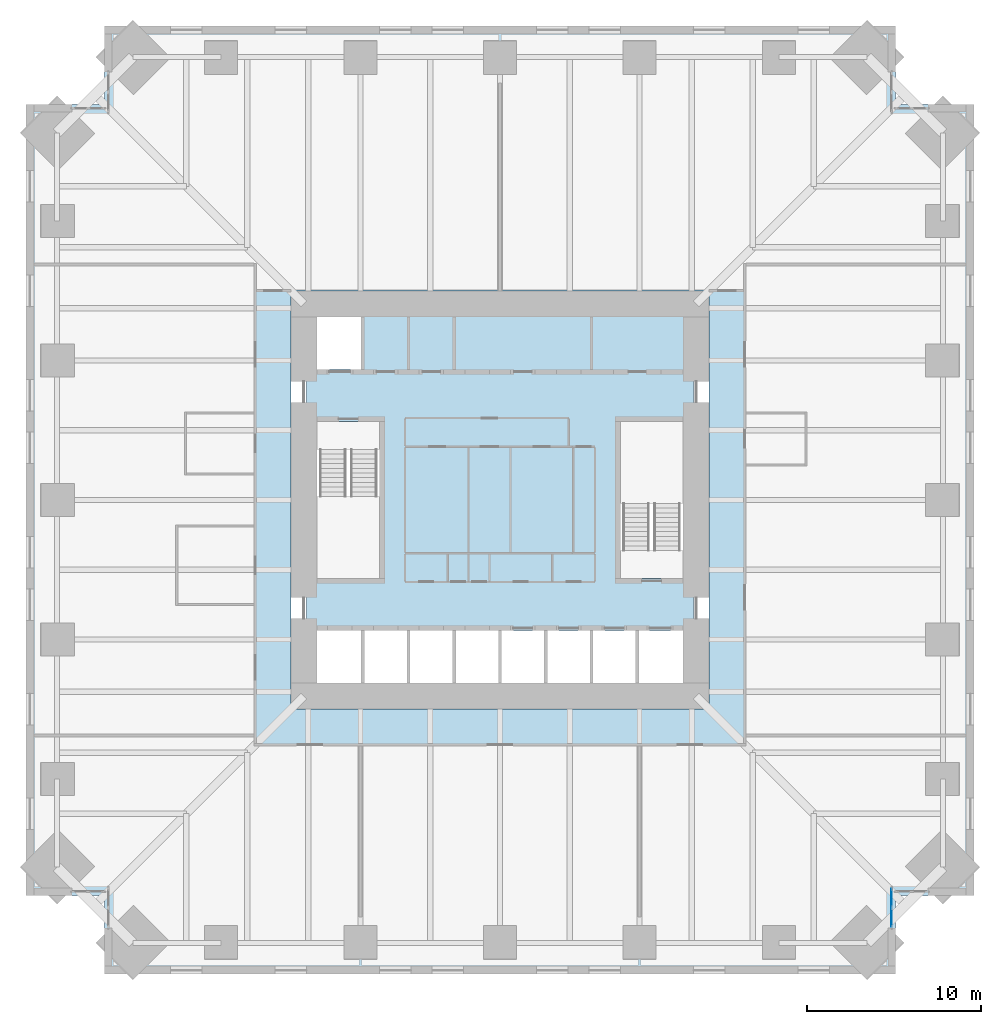
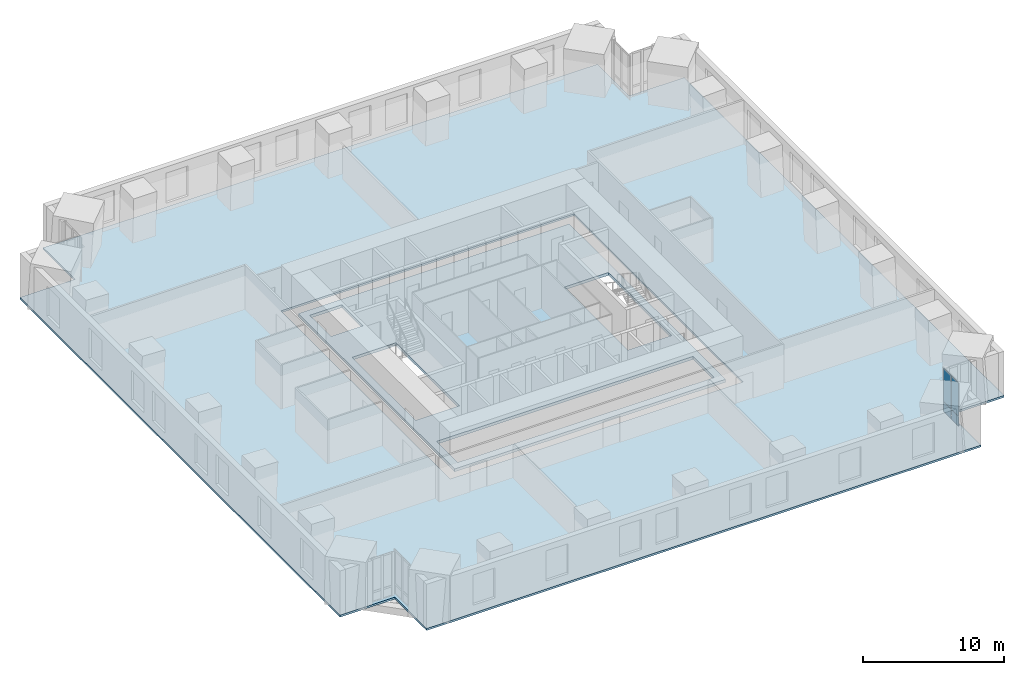
# One storey, part 10 of 16: 4 plates, 2 slabs, 1 element without a shape of its own.
"""IFC4 building model written with IfcOpenShell, lengths in metres."""

from ifc_helpers import new_model, si_unit, direction, frame, origin, origin_2d, place, context, subcontext, project, spatial, polyline, rectangle, outline, extrude, material, layer, layer_set, type_object, element, aggregate, save


model = new_model("IFC4")

# Units and contexts
model_context = context("Model", 3, precision=1e-05, world=origin(), true_north=direction((0.0, 1.0)))
body_context = subcontext(model_context, "Body", "Model", "MODEL_VIEW")
ifc_project = project(units=[si_unit("LENGTHUNIT", "METRE"), si_unit("AREAUNIT", "SQUARE_METRE"), si_unit("VOLUMEUNIT", "CUBIC_METRE"), si_unit("PLANEANGLEUNIT", "RADIAN"), si_unit("MASSUNIT", "GRAM", prefix="KILO")], contexts=[model_context])

# Site, building, storey
site_placement = place(None, origin())
site = spatial("IfcSite", under=ifc_project, at=site_placement, CompositionType="ELEMENT")
building_placement = place(site_placement, origin())
building = spatial("IfcBuilding", under=site, at=building_placement, Name="Peilmerk Tower", CompositionType="ELEMENT")
storey_placement = place(building_placement, frame((0.0, 0.0, 135.800048828125)))
storey = spatial("IfcBuildingStorey", under=building, at=storey_placement, Name="L27", CompositionType="ELEMENT", Elevation=135.800048828125)

# Slab
ifc_material_1 = material(Name="Concrete C55/67", Category="concrete")
ifc_layer_1 = layer(ifc_material_1, 0.25)
ifc_layer_set_1 = layer_set([ifc_layer_1], Name="Concrete C55/67")
slab_type_1 = type_object("IfcSlabType", Name="CS250 250 core floor slab", PredefinedType="FLOOR", material=ifc_layer_set_1)
slab_1_placement = place(storey_placement, frame((0.0, 0.0, -0.25)))
element("IfcSlab", 1, at=slab_1_placement, inside=storey, type_object=slab_type_1, Name="Core slab L27", PredefinedType="FLOOR", context=body_context, shape_type="SweptSolid", body=[
    extrude(outline(polyline([(11.10009765625, 11.10009765625), (-11.10009765625, 11.10009765625), (-11.10009765625, -11.10009765625), (11.10009765625, -11.10009765625), (11.10009765625, 11.10009765625)]), holes=[polyline([(-10.5, 7.5), (-10.5, 10.5), (-7.875, 10.5), (-7.875, 7.5), (-10.5, 7.5)]), polyline([(-10.5, -10.5), (-10.5, -7.5), (10.5, -7.5), (10.5, -10.5), (-10.5, -10.5)]), polyline([(-10.5, 4.5), (-6.89990234375, 4.5), (-6.89990234375, -4.5), (-10.5, -4.5), (-10.5, 4.5)]), polyline([(10.5, 4.5), (10.5, -4.5), (6.89990234375, -4.5), (6.89990234375, 4.5), (10.5, 4.5)])]), origin(), (0.0, 0.0, 1.0), 0.25),
])

# Curtain wall, plates
ifc_material_2 = material(Name="Aluminium stick curtain wall", Category="aluminium")
curtain_wall_type = type_object("IfcCurtainWallType", Name="CW3 stick curtain wall, 2250 module", PredefinedType="NOTDEFINED", material=ifc_material_2)
curtain_wall_placement = place(storey_placement, origin())
curtain_wall = element("IfcCurtainWall", 2, at=curtain_wall_placement, inside=storey, type_object=curtain_wall_type, Name="Curtain wall CW3 SEA L27", PredefinedType="NOTDEFINED")
ifc_material_3 = material(Name="Clear insulated glazing unit", Category="glass")
ifc_layer_2 = layer(ifc_material_3, 0.028076171875)
ifc_layer_set_2 = layer_set([ifc_layer_2], Name="Clear insulated glazing unit")
plate_type = type_object("IfcPlateType", Name="CW3-P 28 glazed panel", PredefinedType="CURTAIN_PANEL", material=ifc_layer_set_2)
plate_1_placement = place(storey_placement, frame((22.47509765625, -22.83837890625, 0.06494140625), z_axis=(0.0, 0.0, 1.0), x_axis=(0.0, -1.0, 0.0)))
plate_1 = element("IfcPlate", 3, at=plate_1_placement, type_object=plate_type, Name="CW3 panel 1.1", PredefinedType="CURTAIN_PANEL", context=body_context, shape_type="SweptSolid", body=[
    extrude(rectangle(XDim=1.046875, YDim=0.028076171875, at=origin_2d()), origin(), (0.0, 0.0, 1.0), 0.802490234375),
])
plate_2_placement = place(storey_placement, frame((22.47509765625, -22.83837890625, 0.932373046875), z_axis=(0.0, 0.0, 1.0), x_axis=(0.0, -1.0, 0.0)))
plate_2 = element("IfcPlate", 4, at=plate_2_placement, type_object=plate_type, Name="CW3 panel 1.2", PredefinedType="CURTAIN_PANEL", context=body_context, shape_type="SweptSolid", body=[
    extrude(rectangle(XDim=1.046875, YDim=0.028076171875, at=origin_2d()), origin(), (0.0, 0.0, 1.0), 2.83251953125),
])
plate_3_placement = place(storey_placement, frame((22.47509765625, -23.9501953125, 0.06494140625), z_axis=(0.0, 0.0, 1.0), x_axis=(0.0, -1.0, 0.0)))
plate_3 = element("IfcPlate", 5, at=plate_3_placement, type_object=plate_type, Name="CW3 panel 2.1", PredefinedType="CURTAIN_PANEL", context=body_context, shape_type="SweptSolid", body=[
    extrude(rectangle(XDim=1.046875, YDim=0.028076171875, at=origin_2d()), origin(), (0.0, 0.0, 1.0), 0.802490234375),
])
plate_4_placement = place(storey_placement, frame((22.47509765625, -23.9501953125, 0.932373046875), z_axis=(0.0, 0.0, 1.0), x_axis=(0.0, -1.0, 0.0)))
plate_4 = element("IfcPlate", 6, at=plate_4_placement, type_object=plate_type, Name="CW3 panel 2.2", PredefinedType="CURTAIN_PANEL", context=body_context, shape_type="SweptSolid", body=[
    extrude(rectangle(XDim=1.046875, YDim=0.028076171875, at=origin_2d()), origin(), (0.0, 0.0, 1.0), 2.83251953125),
])
aggregate(curtain_wall, [plate_1, plate_2, plate_3, plate_4])

# Slab
ifc_material_4 = material(Name="Concrete C35/45", Category="concrete")
ifc_layer_3 = layer(ifc_material_4, 0.169921875)
ifc_layer_set_3 = layer_set([ifc_layer_3], Name="Concrete C35/45")
slab_type_2 = type_object("IfcSlabType", Name="FS170 170 composite floor slab", PredefinedType="FLOOR", material=ifc_layer_set_3)
slab_2_placement = place(storey_placement, frame((0.0, 0.0, -0.170166015625)))
element("IfcSlab", 7, at=slab_2_placement, inside=storey, type_object=slab_type_2, Name="Floor slab L27", PredefinedType="FLOOR", context=body_context, shape_type="SweptSolid", body=[
    extrude(outline(polyline([(-22.699951171875, -27.199951171875), (22.699951171875, -27.199951171875), (22.699951171875, -22.699951171875), (27.199951171875, -22.699951171875), (27.199951171875, 22.699951171875), (22.699951171875, 22.699951171875), (22.699951171875, 27.199951171875), (-22.699951171875, 27.199951171875), (-22.699951171875, 22.699951171875), (-27.199951171875, 22.699951171875), (-27.199951171875, -22.699951171875), (-22.699951171875, -22.699951171875), (-22.699951171875, -27.199951171875)]), holes=[polyline([(12.0, 12.0), (12.0, -12.0), (-12.0, -12.0), (-12.0, 12.0), (12.0, 12.0)])]), origin(), (0.0, 0.0, 1.0), 0.170166015625),
])

save(model, "model.ifc")
